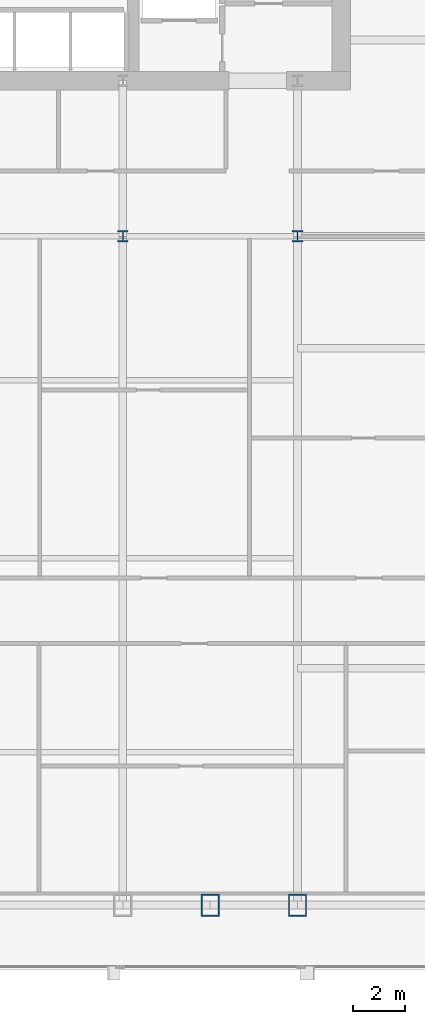
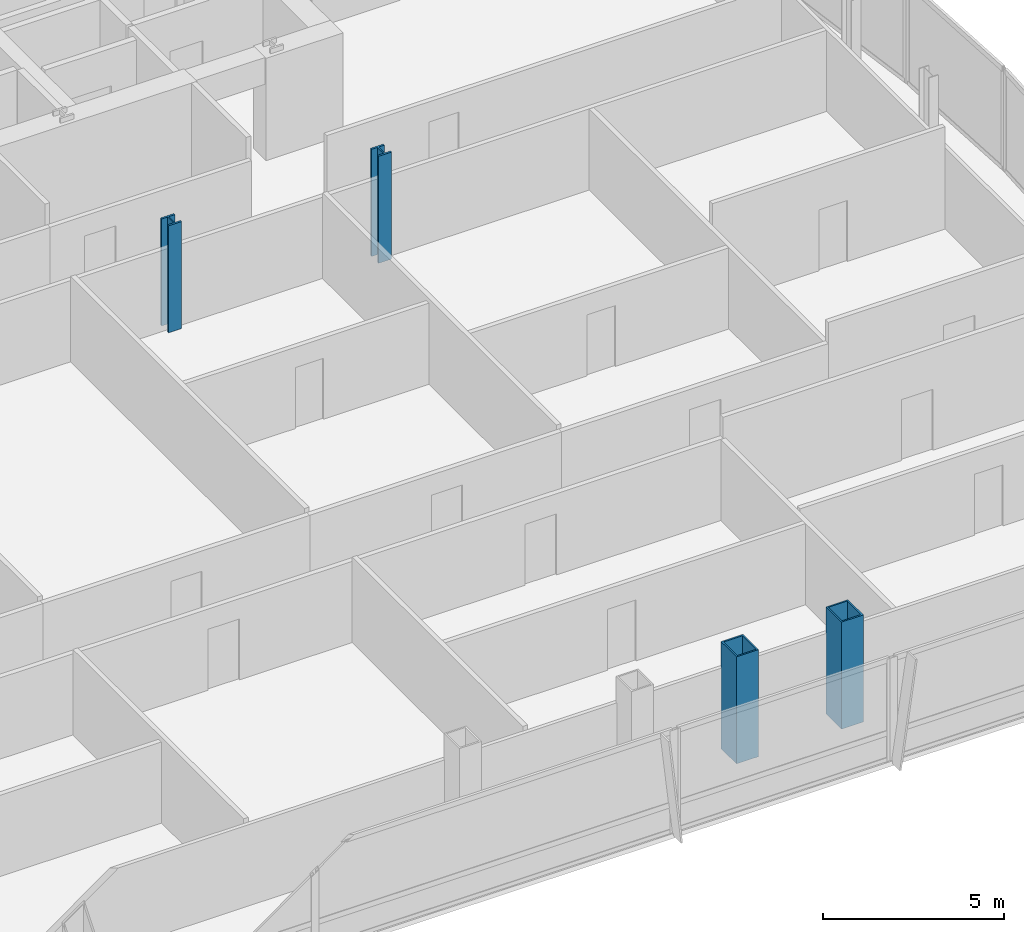
# One storey, part 2 of 31: 4 columns.
"""IFC4 building model written with IfcOpenShell, lengths in metres."""

from ifc_helpers import new_model, si_unit, direction, frame, origin, origin_2d, place, context, subcontext, project, spatial, hollow_rectangle, i_section, extrude, material, material_profile, profile_set, type_object, element, save


model = new_model("IFC4")

# Units and contexts
model_context = context("Model", 3, precision=1e-05, world=origin(), true_north=direction((0.0, 1.0)))
body_context = subcontext(model_context, "Body", "Model", "MODEL_VIEW")
ifc_project = project(units=[si_unit("LENGTHUNIT", "METRE"), si_unit("AREAUNIT", "SQUARE_METRE"), si_unit("VOLUMEUNIT", "CUBIC_METRE"), si_unit("PLANEANGLEUNIT", "RADIAN"), si_unit("MASSUNIT", "GRAM", prefix="KILO")], contexts=[model_context])

# Site, building, storey
site_placement = place(None, origin())
site = spatial("IfcSite", under=ifc_project, at=site_placement, CompositionType="ELEMENT")
building_placement = place(site_placement, origin())
building = spatial("IfcBuilding", under=site, at=building_placement, Name="Khoronbel Lancet Exchange", CompositionType="ELEMENT")
storey_placement = place(building_placement, frame((0.0, 0.0, 121.800048828125)))
storey = spatial("IfcBuildingStorey", under=building, at=storey_placement, Name="L29", CompositionType="ELEMENT", Elevation=121.800048828125)

# Columns
ifc_material = material(Name="Steel S460", Category="steel")
ifc_material_profile_1 = material_profile(ifc_material, hollow_rectangle(XDim=0.699951171875, YDim=0.85009765625, WallThickness=0.050048828125, at=origin_2d()), Name="BOX 850x700x50")
ifc_profile_set_1 = profile_set([ifc_material_profile_1], Name="Steel S460")
column_type_1 = type_object("IfcColumnType", Name="COL-EC2", PredefinedType="COLUMN", material=ifc_profile_set_1)
for number, where, z_axis, x_axis, name in (
    (1, (51.33740234375, 10.14990234375, 0.0), (0.0, 0.0, 1.0), (1.0, 0.0, 0.0), "Structural column SC-EM L29"),
    (2, (54.675048828125, 10.14990234375, 0.0), (0.0, 0.0, 1.0), (1.0, 0.0, 0.0), "Structural column SC-E2 L29"),
):
    element("IfcColumn", number, at=place(storey_placement, frame(where, z_axis=z_axis, x_axis=x_axis)), inside=storey, type_object=column_type_1, Name=name, PredefinedType="COLUMN", context=body_context, shape_type="SweptSolid", body=[
        extrude(hollow_rectangle(XDim=0.699951171875, YDim=0.85009765625, WallThickness=0.050048828125, at=origin_2d()), origin(), (0.0, 0.0, 1.0), 3.599853515625),
    ])
ifc_material_profile_2 = material_profile(ifc_material, i_section(OverallWidth=0.416015625, OverallDepth=0.446044921875, WebThickness=0.0390625, FlangeThickness=0.062744140625, at=origin_2d()), Name="HD 400x509")
ifc_profile_set_2 = profile_set([ifc_material_profile_2], Name="Steel S460")
column_type_2 = type_object("IfcColumnType", Name="COL-IC2", PredefinedType="COLUMN", material=ifc_profile_set_2)
for number, where, z_axis, x_axis, name in (
    (3, (48.0, 35.699951171875, 0.0), (0.0, 0.0, 1.0), (1.0, 0.0, 0.0), "Spine gravity column TC3 L29"),
    (4, (54.675048828125, 35.699951171875, 0.0), (0.0, 0.0, 1.0), (1.0, 0.0, 0.0), "Spine gravity column TC4 L29"),
):
    element("IfcColumn", number, at=place(storey_placement, frame(where, z_axis=z_axis, x_axis=x_axis)), inside=storey, type_object=column_type_2, Name=name, PredefinedType="COLUMN", context=body_context, shape_type="SweptSolid", body=[
        extrude(i_section(OverallWidth=0.416015625, OverallDepth=0.446044921875, WebThickness=0.0390625, FlangeThickness=0.062744140625, at=origin_2d()), origin(), (0.0, 0.0, 1.0), 3.599853515625),
    ])

save(model, "model.ifc")
